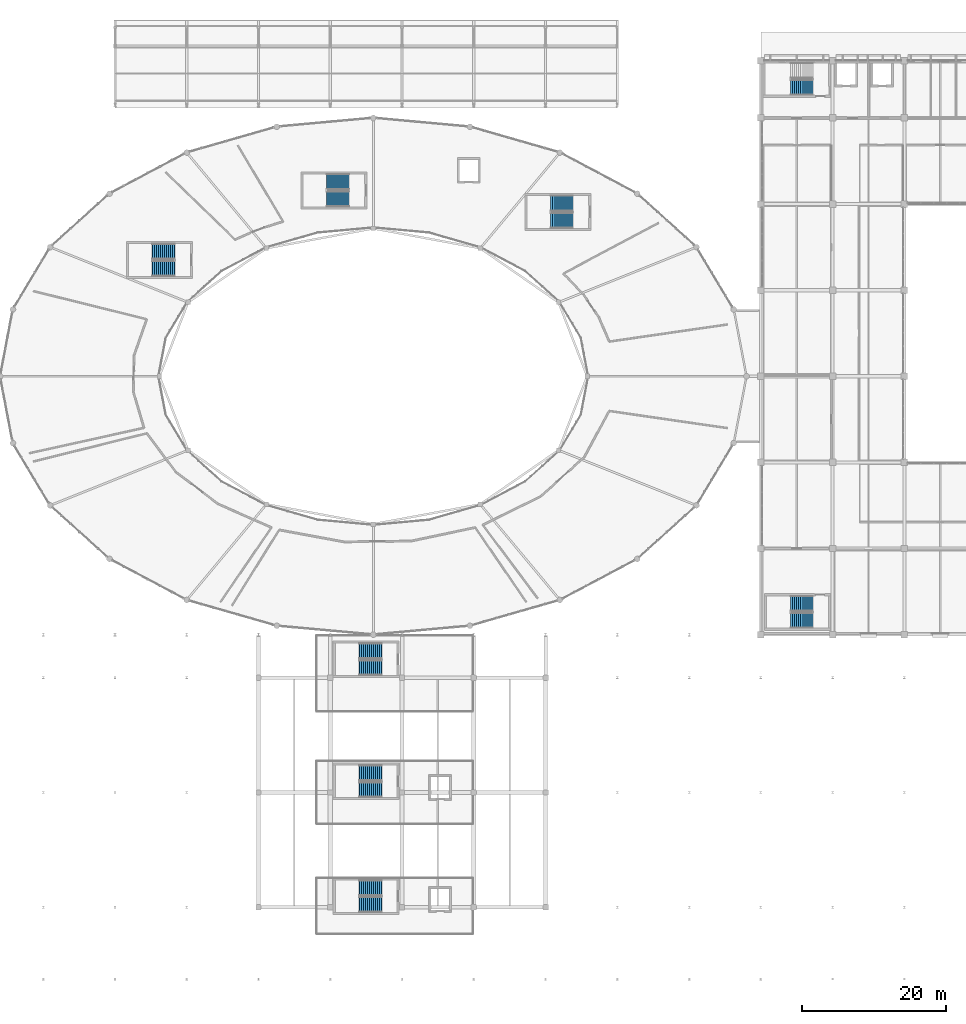
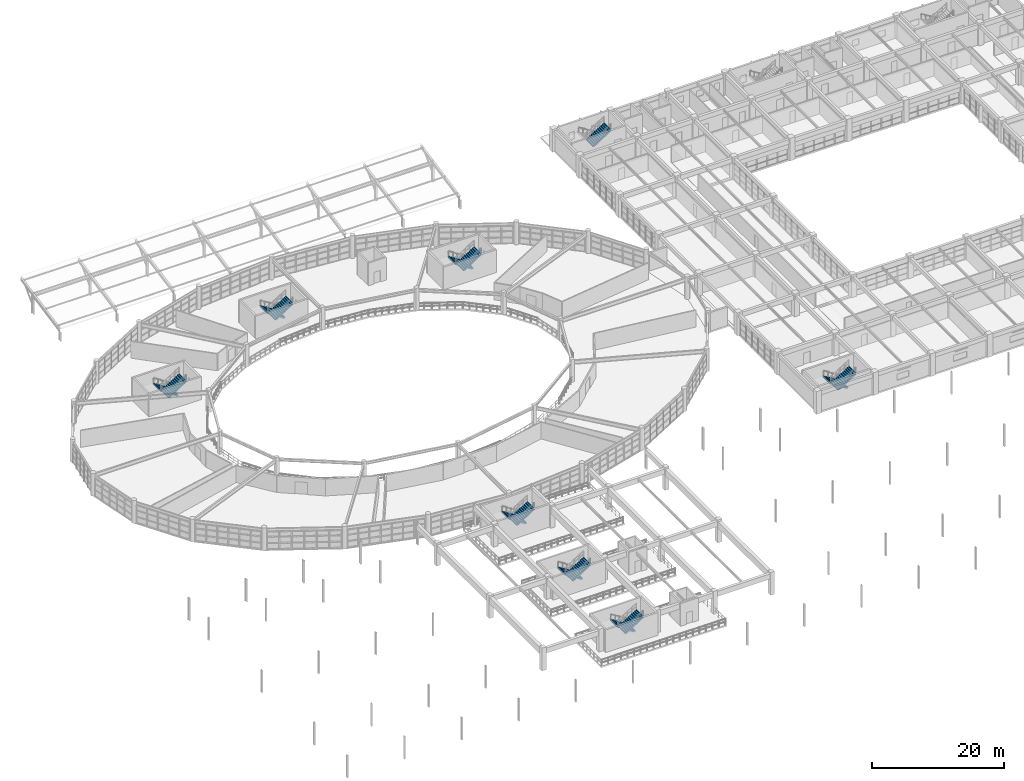
# One storey, part 85 of 100: 15 stair flights, 8 elements without a shape of their own.
"""IFC4 building model written with IfcOpenShell, lengths in metres."""

from ifc_helpers import new_model, si_unit, direction, frame, origin, place, context, subcontext, project, spatial, polyline, outline, extrude, material, type_object, element, aggregate, save


model = new_model("IFC4")

# Units and contexts
model_context = context("Model", 3, precision=1e-05, world=origin(), true_north=direction((0.0, 1.0)))
body_context = subcontext(model_context, "Body", "Model", "MODEL_VIEW")
ifc_project = project(units=[si_unit("LENGTHUNIT", "METRE"), si_unit("AREAUNIT", "SQUARE_METRE"), si_unit("VOLUMEUNIT", "CUBIC_METRE"), si_unit("PLANEANGLEUNIT", "RADIAN"), si_unit("MASSUNIT", "GRAM", prefix="KILO")], contexts=[model_context])

# Site, building, storey
site_placement = place(None, origin())
site = spatial("IfcSite", under=ifc_project, at=site_placement, CompositionType="ELEMENT")
building_placement = place(site_placement, origin())
building = spatial("IfcBuilding", under=site, at=building_placement, Name="Kivolera Central Railway Station", CompositionType="ELEMENT")
storey_placement = place(building_placement, frame((0.0, 0.0, 5.39990234375)))
storey = spatial("IfcBuildingStorey", under=building, at=storey_placement, Name="L01", CompositionType="ELEMENT", Elevation=5.39990234375)

# Stair, stair flight
ifc_material = material(Name="Concrete C40/50", Category="concrete")
stair_type_1 = type_object("IfcStairType", Name="STR-2160-24", PredefinedType="HALF_TURN_STAIR", material=ifc_material)
stair_1_placement = place(storey_placement, origin())
stair_1 = element("IfcStair", 1, at=stair_1_placement, inside=storey, type_object=stair_type_1, Name="L01 Protected Exit Stair ST1", PredefinedType="HALF_TURN_STAIR")
stair_flight_type_1 = type_object("IfcStairFlightType", Name="SFL-2160-24", PredefinedType="STRAIGHT", material=ifc_material)
stair_flight_1_placement = place(storey_placement, frame((122.159912109375, 130.260009765625, 2.10009765625), z_axis=(0.0, 0.0, 1.0), x_axis=(1.0, 0.0, 0.0)))
stair_flight_1 = element("IfcStairFlight", 2, at=stair_flight_1_placement, type_object=stair_flight_type_1, Name="ST1 flight 2", NumberOfRisers=12, NumberOfTreads=11, PredefinedType="STRAIGHT", RiserHeight=0.175, TreadLength=0.28, context=body_context, shape_type="SweptSolid", body=[
    extrude(outline(polyline([(-0.0400390625, 0.0), (0.0, 0.0), (0.0, 0.175048828125), (0.280029296875, 0.175048828125), (0.280029296875, 0.35009765625), (0.56005859375, 0.35009765625), (0.56005859375, 0.52490234375), (0.840087890625, 0.52490234375), (0.840087890625, 0.699951171875), (1.1201171875, 0.699951171875), (1.1201171875, 0.875), (1.39990234375, 0.875), (1.39990234375, 1.050048828125), (1.679931640625, 1.050048828125), (1.679931640625, 1.22509765625), (1.9599609375, 1.22509765625), (1.9599609375, 1.39990234375), (2.239990234375, 1.39990234375), (2.239990234375, 1.574951171875), (2.52001953125, 1.574951171875), (2.52001953125, 1.75), (2.800048828125, 1.75), (2.800048828125, 1.925048828125), (3.080078125, 1.925048828125), (3.080078125, 2.10009765625), (3.1201171875, 2.10009765625), (3.1201171875, 2.064697265625), (3.1201171875, 2.029541015625), (3.1201171875, 1.994384765625), (3.1201171875, 1.959228515625), (3.1201171875, 1.924072265625), (3.1201171875, 1.888916015625), (3.1201171875, 1.853759765625), (3.1201171875, 1.818603515625), (3.1201171875, 1.783447265625), (3.1201171875, 1.748291015625), (0.28271484375, -0.080078125), (-0.0400390625, -0.072021484375), (-0.0400390625, -0.06396484375), (-0.0400390625, -0.055908203125), (-0.0400390625, -0.048095703125), (-0.0400390625, -0.0400390625), (-0.0400390625, -0.031982421875), (-0.0400390625, -0.02392578125), (-0.0400390625, -0.01611328125), (-0.0400390625, -0.008056640625), (-0.0400390625, 0.0)])), frame((0.0, 1.080078125, 0.0), z_axis=(0.0, -1.0, 0.0), x_axis=(1.0, 0.0, 0.0)), (0.0, 0.0, 1.0), 2.159912109375),
])
aggregate(stair_1, [stair_flight_1])

# Stair, stair flights
stair_2_placement = place(storey_placement, origin())
stair_2 = element("IfcStair", 3, at=stair_2_placement, inside=storey, type_object=stair_type_1, Name="L01 Protected Exit Stair ST4", PredefinedType="HALF_TURN_STAIR")
stair_flight_2_placement = place(storey_placement, frame((125.239990234375, 58.320068359375, 0.0), z_axis=(0.0, 0.0, 1.0), x_axis=(-1.0, 0.0, 0.0)))
stair_flight_2 = element("IfcStairFlight", 4, at=stair_flight_2_placement, type_object=stair_flight_type_1, Name="ST4 flight 1", NumberOfRisers=12, NumberOfTreads=11, PredefinedType="STRAIGHT", RiserHeight=0.175, TreadLength=0.28, context=body_context, shape_type="SweptSolid", body=[
    extrude(outline(polyline([(-0.0400390625, 0.0), (0.0, 0.0), (0.0, 0.175048828125), (0.280029296875, 0.175048828125), (0.280029296875, 0.35009765625), (0.56005859375, 0.35009765625), (0.56005859375, 0.52490234375), (0.840087890625, 0.52490234375), (0.840087890625, 0.699951171875), (1.1201171875, 0.699951171875), (1.1201171875, 0.875), (1.39990234375, 0.875), (1.39990234375, 1.050048828125), (1.679931640625, 1.050048828125), (1.679931640625, 1.22509765625), (1.9599609375, 1.22509765625), (1.9599609375, 1.39990234375), (2.239990234375, 1.39990234375), (2.239990234375, 1.574951171875), (2.52001953125, 1.574951171875), (2.52001953125, 1.75), (2.800048828125, 1.75), (2.800048828125, 1.925048828125), (3.080078125, 1.925048828125), (3.080078125, 2.10009765625), (3.1201171875, 2.10009765625), (3.1201171875, 2.064697265625), (3.1201171875, 2.029541015625), (3.1201171875, 1.994384765625), (3.1201171875, 1.959228515625), (3.1201171875, 1.924072265625), (3.1201171875, 1.888916015625), (3.1201171875, 1.853759765625), (3.1201171875, 1.818603515625), (3.1201171875, 1.783447265625), (3.1201171875, 1.748291015625), (0.28271484375, -0.080078125), (-0.0400390625, -0.072021484375), (-0.0400390625, -0.06396484375), (-0.0400390625, -0.055908203125), (-0.0400390625, -0.048095703125), (-0.0400390625, -0.0400390625), (-0.0400390625, -0.031982421875), (-0.0400390625, -0.02392578125), (-0.0400390625, -0.01611328125), (-0.0400390625, -0.008056640625), (-0.0400390625, 0.0)])), frame((0.0, 1.080078125, 0.0), z_axis=(0.0, -1.0, 0.0), x_axis=(1.0, 0.0, 0.0)), (0.0, 0.0, 1.0), 2.159912109375),
])
stair_flight_3_placement = place(storey_placement, frame((122.159912109375, 55.97998046875, 2.10009765625), z_axis=(0.0, 0.0, 1.0), x_axis=(1.0, 0.0, 0.0)))
stair_flight_3 = element("IfcStairFlight", 5, at=stair_flight_3_placement, type_object=stair_flight_type_1, Name="ST4 flight 2", NumberOfRisers=12, NumberOfTreads=11, PredefinedType="STRAIGHT", RiserHeight=0.175, TreadLength=0.28, context=body_context, shape_type="SweptSolid", body=[
    extrude(outline(polyline([(-0.0400390625, 0.0), (0.0, 0.0), (0.0, 0.175048828125), (0.280029296875, 0.175048828125), (0.280029296875, 0.35009765625), (0.56005859375, 0.35009765625), (0.56005859375, 0.52490234375), (0.840087890625, 0.52490234375), (0.840087890625, 0.699951171875), (1.1201171875, 0.699951171875), (1.1201171875, 0.875), (1.39990234375, 0.875), (1.39990234375, 1.050048828125), (1.679931640625, 1.050048828125), (1.679931640625, 1.22509765625), (1.9599609375, 1.22509765625), (1.9599609375, 1.39990234375), (2.239990234375, 1.39990234375), (2.239990234375, 1.574951171875), (2.52001953125, 1.574951171875), (2.52001953125, 1.75), (2.800048828125, 1.75), (2.800048828125, 1.925048828125), (3.080078125, 1.925048828125), (3.080078125, 2.10009765625), (3.1201171875, 2.10009765625), (3.1201171875, 2.064697265625), (3.1201171875, 2.029541015625), (3.1201171875, 1.994384765625), (3.1201171875, 1.959228515625), (3.1201171875, 1.924072265625), (3.1201171875, 1.888916015625), (3.1201171875, 1.853759765625), (3.1201171875, 1.818603515625), (3.1201171875, 1.783447265625), (3.1201171875, 1.748291015625), (0.28271484375, -0.080078125), (-0.0400390625, -0.072021484375), (-0.0400390625, -0.06396484375), (-0.0400390625, -0.055908203125), (-0.0400390625, -0.048095703125), (-0.0400390625, -0.0400390625), (-0.0400390625, -0.031982421875), (-0.0400390625, -0.02392578125), (-0.0400390625, -0.01611328125), (-0.0400390625, -0.008056640625), (-0.0400390625, 0.0)])), frame((0.0, 1.080078125, 0.0), z_axis=(0.0, -1.0, 0.0), x_axis=(1.0, 0.0, 0.0)), (0.0, 0.0, 1.0), 2.159912109375),
])
aggregate(stair_2, [stair_flight_2, stair_flight_3])

stair_3_placement = place(storey_placement, origin())
stair_3 = element("IfcStair", 6, at=stair_3_placement, inside=storey, type_object=stair_type_1, Name="L01 Platform 3 Interchange Exit Stair ST8", PredefinedType="HALF_TURN_STAIR")
stair_flight_4_placement = place(storey_placement, frame((65.139892578125, 51.719970703125, 0.0), z_axis=(0.0, 0.0, 1.0), x_axis=(-1.0, 0.0, 0.0)))
stair_flight_4 = element("IfcStairFlight", 7, at=stair_flight_4_placement, type_object=stair_flight_type_1, Name="ST8 flight 1", NumberOfRisers=12, NumberOfTreads=11, PredefinedType="STRAIGHT", RiserHeight=0.175, TreadLength=0.28, context=body_context, shape_type="SweptSolid", body=[
    extrude(outline(polyline([(-0.0400390625, 0.0), (0.0, 0.0), (0.0, 0.175048828125), (0.280029296875, 0.175048828125), (0.280029296875, 0.35009765625), (0.56005859375, 0.35009765625), (0.56005859375, 0.52490234375), (0.840087890625, 0.52490234375), (0.840087890625, 0.699951171875), (1.1201171875, 0.699951171875), (1.1201171875, 0.875), (1.39990234375, 0.875), (1.39990234375, 1.050048828125), (1.679931640625, 1.050048828125), (1.679931640625, 1.22509765625), (1.9599609375, 1.22509765625), (1.9599609375, 1.39990234375), (2.239990234375, 1.39990234375), (2.239990234375, 1.574951171875), (2.52001953125, 1.574951171875), (2.52001953125, 1.75), (2.800048828125, 1.75), (2.800048828125, 1.925048828125), (3.080078125, 1.925048828125), (3.080078125, 2.10009765625), (3.1201171875, 2.10009765625), (3.1201171875, 2.064697265625), (3.1201171875, 2.029541015625), (3.1201171875, 1.994384765625), (3.1201171875, 1.959228515625), (3.1201171875, 1.924072265625), (3.1201171875, 1.888916015625), (3.1201171875, 1.853759765625), (3.1201171875, 1.818603515625), (3.1201171875, 1.783447265625), (3.1201171875, 1.748291015625), (0.28271484375, -0.080078125), (-0.0400390625, -0.072021484375), (-0.0400390625, -0.06396484375), (-0.0400390625, -0.055908203125), (-0.0400390625, -0.048095703125), (-0.0400390625, -0.0400390625), (-0.0400390625, -0.031982421875), (-0.0400390625, -0.02392578125), (-0.0400390625, -0.01611328125), (-0.0400390625, -0.008056640625), (-0.0400390625, 0.0)])), frame((0.0, 1.080078125, 0.0), z_axis=(0.0, -1.0, 0.0), x_axis=(1.0, 0.0, 0.0)), (0.0, 0.0, 1.0), 2.159912109375),
])
stair_flight_5_placement = place(storey_placement, frame((62.06005859375, 49.3798828125, 2.10009765625), z_axis=(0.0, 0.0, 1.0), x_axis=(1.0, 0.0, 0.0)))
stair_flight_5 = element("IfcStairFlight", 8, at=stair_flight_5_placement, type_object=stair_flight_type_1, Name="ST8 flight 2", NumberOfRisers=12, NumberOfTreads=11, PredefinedType="STRAIGHT", RiserHeight=0.175, TreadLength=0.28, context=body_context, shape_type="SweptSolid", body=[
    extrude(outline(polyline([(-0.0400390625, 0.0), (0.0, 0.0), (0.0, 0.175048828125), (0.280029296875, 0.175048828125), (0.280029296875, 0.35009765625), (0.56005859375, 0.35009765625), (0.56005859375, 0.52490234375), (0.840087890625, 0.52490234375), (0.840087890625, 0.699951171875), (1.1201171875, 0.699951171875), (1.1201171875, 0.875), (1.39990234375, 0.875), (1.39990234375, 1.050048828125), (1.679931640625, 1.050048828125), (1.679931640625, 1.22509765625), (1.9599609375, 1.22509765625), (1.9599609375, 1.39990234375), (2.239990234375, 1.39990234375), (2.239990234375, 1.574951171875), (2.52001953125, 1.574951171875), (2.52001953125, 1.75), (2.800048828125, 1.75), (2.800048828125, 1.925048828125), (3.080078125, 1.925048828125), (3.080078125, 2.10009765625), (3.1201171875, 2.10009765625), (3.1201171875, 2.064697265625), (3.1201171875, 2.029541015625), (3.1201171875, 1.994384765625), (3.1201171875, 1.959228515625), (3.1201171875, 1.924072265625), (3.1201171875, 1.888916015625), (3.1201171875, 1.853759765625), (3.1201171875, 1.818603515625), (3.1201171875, 1.783447265625), (3.1201171875, 1.748291015625), (0.28271484375, -0.080078125), (-0.0400390625, -0.072021484375), (-0.0400390625, -0.06396484375), (-0.0400390625, -0.055908203125), (-0.0400390625, -0.048095703125), (-0.0400390625, -0.0400390625), (-0.0400390625, -0.031982421875), (-0.0400390625, -0.02392578125), (-0.0400390625, -0.01611328125), (-0.0400390625, -0.008056640625), (-0.0400390625, 0.0)])), frame((0.0, 1.080078125, 0.0), z_axis=(0.0, -1.0, 0.0), x_axis=(1.0, 0.0, 0.0)), (0.0, 0.0, 1.0), 2.159912109375),
])
aggregate(stair_3, [stair_flight_4, stair_flight_5])

stair_4_placement = place(storey_placement, origin())
stair_4 = element("IfcStair", 9, at=stair_4_placement, inside=storey, type_object=stair_type_1, Name="L01 Platform 2 Interchange Exit Stair ST9", PredefinedType="HALF_TURN_STAIR")
stair_flight_6_placement = place(storey_placement, frame((65.139892578125, 34.719970703125, 0.0), z_axis=(0.0, 0.0, 1.0), x_axis=(-1.0, 0.0, 0.0)))
stair_flight_6 = element("IfcStairFlight", 10, at=stair_flight_6_placement, type_object=stair_flight_type_1, Name="ST9 flight 1", NumberOfRisers=12, NumberOfTreads=11, PredefinedType="STRAIGHT", RiserHeight=0.175, TreadLength=0.28, context=body_context, shape_type="SweptSolid", body=[
    extrude(outline(polyline([(-0.0400390625, 0.0), (0.0, 0.0), (0.0, 0.175048828125), (0.280029296875, 0.175048828125), (0.280029296875, 0.35009765625), (0.56005859375, 0.35009765625), (0.56005859375, 0.52490234375), (0.840087890625, 0.52490234375), (0.840087890625, 0.699951171875), (1.1201171875, 0.699951171875), (1.1201171875, 0.875), (1.39990234375, 0.875), (1.39990234375, 1.050048828125), (1.679931640625, 1.050048828125), (1.679931640625, 1.22509765625), (1.9599609375, 1.22509765625), (1.9599609375, 1.39990234375), (2.239990234375, 1.39990234375), (2.239990234375, 1.574951171875), (2.52001953125, 1.574951171875), (2.52001953125, 1.75), (2.800048828125, 1.75), (2.800048828125, 1.925048828125), (3.080078125, 1.925048828125), (3.080078125, 2.10009765625), (3.1201171875, 2.10009765625), (3.1201171875, 2.064697265625), (3.1201171875, 2.029541015625), (3.1201171875, 1.994384765625), (3.1201171875, 1.959228515625), (3.1201171875, 1.924072265625), (3.1201171875, 1.888916015625), (3.1201171875, 1.853759765625), (3.1201171875, 1.818603515625), (3.1201171875, 1.783447265625), (3.1201171875, 1.748291015625), (0.28271484375, -0.080078125), (-0.0400390625, -0.072021484375), (-0.0400390625, -0.06396484375), (-0.0400390625, -0.055908203125), (-0.0400390625, -0.048095703125), (-0.0400390625, -0.0400390625), (-0.0400390625, -0.031982421875), (-0.0400390625, -0.02392578125), (-0.0400390625, -0.01611328125), (-0.0400390625, -0.008056640625), (-0.0400390625, 0.0)])), frame((0.0, 1.080078125, 0.0), z_axis=(0.0, -1.0, 0.0), x_axis=(1.0, 0.0, 0.0)), (0.0, 0.0, 1.0), 2.159912109375),
])
stair_flight_7_placement = place(storey_placement, frame((62.06005859375, 32.3798828125, 2.10009765625), z_axis=(0.0, 0.0, 1.0), x_axis=(1.0, 0.0, 0.0)))
stair_flight_7 = element("IfcStairFlight", 11, at=stair_flight_7_placement, type_object=stair_flight_type_1, Name="ST9 flight 2", NumberOfRisers=12, NumberOfTreads=11, PredefinedType="STRAIGHT", RiserHeight=0.175, TreadLength=0.28, context=body_context, shape_type="SweptSolid", body=[
    extrude(outline(polyline([(-0.0400390625, 0.0), (0.0, 0.0), (0.0, 0.175048828125), (0.280029296875, 0.175048828125), (0.280029296875, 0.35009765625), (0.56005859375, 0.35009765625), (0.56005859375, 0.52490234375), (0.840087890625, 0.52490234375), (0.840087890625, 0.699951171875), (1.1201171875, 0.699951171875), (1.1201171875, 0.875), (1.39990234375, 0.875), (1.39990234375, 1.050048828125), (1.679931640625, 1.050048828125), (1.679931640625, 1.22509765625), (1.9599609375, 1.22509765625), (1.9599609375, 1.39990234375), (2.239990234375, 1.39990234375), (2.239990234375, 1.574951171875), (2.52001953125, 1.574951171875), (2.52001953125, 1.75), (2.800048828125, 1.75), (2.800048828125, 1.925048828125), (3.080078125, 1.925048828125), (3.080078125, 2.10009765625), (3.1201171875, 2.10009765625), (3.1201171875, 2.064697265625), (3.1201171875, 2.029541015625), (3.1201171875, 1.994384765625), (3.1201171875, 1.959228515625), (3.1201171875, 1.924072265625), (3.1201171875, 1.888916015625), (3.1201171875, 1.853759765625), (3.1201171875, 1.818603515625), (3.1201171875, 1.783447265625), (3.1201171875, 1.748291015625), (0.28271484375, -0.080078125), (-0.0400390625, -0.072021484375), (-0.0400390625, -0.06396484375), (-0.0400390625, -0.055908203125), (-0.0400390625, -0.048095703125), (-0.0400390625, -0.0400390625), (-0.0400390625, -0.031982421875), (-0.0400390625, -0.02392578125), (-0.0400390625, -0.01611328125), (-0.0400390625, -0.008056640625), (-0.0400390625, 0.0)])), frame((0.0, 1.080078125, 0.0), z_axis=(0.0, -1.0, 0.0), x_axis=(1.0, 0.0, 0.0)), (0.0, 0.0, 1.0), 2.159912109375),
])
aggregate(stair_4, [stair_flight_6, stair_flight_7])

stair_5_placement = place(storey_placement, origin())
stair_5 = element("IfcStair", 12, at=stair_5_placement, inside=storey, type_object=stair_type_1, Name="L01 Platform 1 Interchange Exit Stair ST10", PredefinedType="HALF_TURN_STAIR")
stair_flight_8_placement = place(storey_placement, frame((65.139892578125, 18.719970703125, 0.0), z_axis=(0.0, 0.0, 1.0), x_axis=(-1.0, 0.0, 0.0)))
stair_flight_8 = element("IfcStairFlight", 13, at=stair_flight_8_placement, type_object=stair_flight_type_1, Name="ST10 flight 1", NumberOfRisers=12, NumberOfTreads=11, PredefinedType="STRAIGHT", RiserHeight=0.175, TreadLength=0.28, context=body_context, shape_type="SweptSolid", body=[
    extrude(outline(polyline([(-0.0400390625, 0.0), (0.0, 0.0), (0.0, 0.175048828125), (0.280029296875, 0.175048828125), (0.280029296875, 0.35009765625), (0.56005859375, 0.35009765625), (0.56005859375, 0.52490234375), (0.840087890625, 0.52490234375), (0.840087890625, 0.699951171875), (1.1201171875, 0.699951171875), (1.1201171875, 0.875), (1.39990234375, 0.875), (1.39990234375, 1.050048828125), (1.679931640625, 1.050048828125), (1.679931640625, 1.22509765625), (1.9599609375, 1.22509765625), (1.9599609375, 1.39990234375), (2.239990234375, 1.39990234375), (2.239990234375, 1.574951171875), (2.52001953125, 1.574951171875), (2.52001953125, 1.75), (2.800048828125, 1.75), (2.800048828125, 1.925048828125), (3.080078125, 1.925048828125), (3.080078125, 2.10009765625), (3.1201171875, 2.10009765625), (3.1201171875, 2.064697265625), (3.1201171875, 2.029541015625), (3.1201171875, 1.994384765625), (3.1201171875, 1.959228515625), (3.1201171875, 1.924072265625), (3.1201171875, 1.888916015625), (3.1201171875, 1.853759765625), (3.1201171875, 1.818603515625), (3.1201171875, 1.783447265625), (3.1201171875, 1.748291015625), (0.28271484375, -0.080078125), (-0.0400390625, -0.072021484375), (-0.0400390625, -0.06396484375), (-0.0400390625, -0.055908203125), (-0.0400390625, -0.048095703125), (-0.0400390625, -0.0400390625), (-0.0400390625, -0.031982421875), (-0.0400390625, -0.02392578125), (-0.0400390625, -0.01611328125), (-0.0400390625, -0.008056640625), (-0.0400390625, 0.0)])), frame((0.0, 1.080078125, 0.0), z_axis=(0.0, -1.0, 0.0), x_axis=(1.0, 0.0, 0.0)), (0.0, 0.0, 1.0), 2.159912109375),
])
stair_flight_9_placement = place(storey_placement, frame((62.06005859375, 16.3798828125, 2.10009765625), z_axis=(0.0, 0.0, 1.0), x_axis=(1.0, 0.0, 0.0)))
stair_flight_9 = element("IfcStairFlight", 14, at=stair_flight_9_placement, type_object=stair_flight_type_1, Name="ST10 flight 2", NumberOfRisers=12, NumberOfTreads=11, PredefinedType="STRAIGHT", RiserHeight=0.175, TreadLength=0.28, context=body_context, shape_type="SweptSolid", body=[
    extrude(outline(polyline([(-0.0400390625, 0.0), (0.0, 0.0), (0.0, 0.175048828125), (0.280029296875, 0.175048828125), (0.280029296875, 0.35009765625), (0.56005859375, 0.35009765625), (0.56005859375, 0.52490234375), (0.840087890625, 0.52490234375), (0.840087890625, 0.699951171875), (1.1201171875, 0.699951171875), (1.1201171875, 0.875), (1.39990234375, 0.875), (1.39990234375, 1.050048828125), (1.679931640625, 1.050048828125), (1.679931640625, 1.22509765625), (1.9599609375, 1.22509765625), (1.9599609375, 1.39990234375), (2.239990234375, 1.39990234375), (2.239990234375, 1.574951171875), (2.52001953125, 1.574951171875), (2.52001953125, 1.75), (2.800048828125, 1.75), (2.800048828125, 1.925048828125), (3.080078125, 1.925048828125), (3.080078125, 2.10009765625), (3.1201171875, 2.10009765625), (3.1201171875, 2.064697265625), (3.1201171875, 2.029541015625), (3.1201171875, 1.994384765625), (3.1201171875, 1.959228515625), (3.1201171875, 1.924072265625), (3.1201171875, 1.888916015625), (3.1201171875, 1.853759765625), (3.1201171875, 1.818603515625), (3.1201171875, 1.783447265625), (3.1201171875, 1.748291015625), (0.28271484375, -0.080078125), (-0.0400390625, -0.072021484375), (-0.0400390625, -0.06396484375), (-0.0400390625, -0.055908203125), (-0.0400390625, -0.048095703125), (-0.0400390625, -0.0400390625), (-0.0400390625, -0.031982421875), (-0.0400390625, -0.02392578125), (-0.0400390625, -0.01611328125), (-0.0400390625, -0.008056640625), (-0.0400390625, 0.0)])), frame((0.0, 1.080078125, 0.0), z_axis=(0.0, -1.0, 0.0), x_axis=(1.0, 0.0, 0.0)), (0.0, 0.0, 1.0), 2.159912109375),
])
aggregate(stair_5, [stair_flight_8, stair_flight_9])

stair_type_2 = type_object("IfcStairType", Name="STR-2200-24", PredefinedType="HALF_TURN_STAIR", material=ifc_material)
stair_6_placement = place(storey_placement, origin())
stair_6 = element("IfcStair", 15, at=stair_6_placement, inside=storey, type_object=stair_type_2, Name="L01 North Concourse Exit Stair ST5", PredefinedType="HALF_TURN_STAIR")
stair_flight_type_2 = type_object("IfcStairFlightType", Name="SFL-2200-24", PredefinedType="STRAIGHT", material=ifc_material)
stair_flight_10_placement = place(storey_placement, frame((60.60009765625, 117.10009765625, 0.0), z_axis=(0.0, 0.0, 1.0), x_axis=(-1.0, 0.0, 0.0)))
stair_flight_10 = element("IfcStairFlight", 16, at=stair_flight_10_placement, type_object=stair_flight_type_2, Name="ST5 flight 1", NumberOfRisers=12, NumberOfTreads=11, PredefinedType="STRAIGHT", RiserHeight=0.175, TreadLength=0.28, context=body_context, shape_type="SweptSolid", body=[
    extrude(outline(polyline([(-0.0400390625, 0.0), (0.0, 0.0), (0.0, 0.175048828125), (0.280029296875, 0.175048828125), (0.280029296875, 0.35009765625), (0.56005859375, 0.35009765625), (0.56005859375, 0.52490234375), (0.840087890625, 0.52490234375), (0.840087890625, 0.699951171875), (1.1201171875, 0.699951171875), (1.1201171875, 0.875), (1.39990234375, 0.875), (1.39990234375, 1.050048828125), (1.679931640625, 1.050048828125), (1.679931640625, 1.22509765625), (1.9599609375, 1.22509765625), (1.9599609375, 1.39990234375), (2.239990234375, 1.39990234375), (2.239990234375, 1.574951171875), (2.52001953125, 1.574951171875), (2.52001953125, 1.75), (2.800048828125, 1.75), (2.800048828125, 1.925048828125), (3.080078125, 1.925048828125), (3.080078125, 2.10009765625), (3.1201171875, 2.10009765625), (3.1201171875, 2.064697265625), (3.1201171875, 2.029541015625), (3.1201171875, 1.994384765625), (3.1201171875, 1.959228515625), (3.1201171875, 1.924072265625), (3.1201171875, 1.888916015625), (3.1201171875, 1.853759765625), (3.1201171875, 1.818603515625), (3.1201171875, 1.783447265625), (3.1201171875, 1.748291015625), (0.28271484375, -0.080078125), (-0.0400390625, -0.072021484375), (-0.0400390625, -0.06396484375), (-0.0400390625, -0.055908203125), (-0.0400390625, -0.048095703125), (-0.0400390625, -0.0400390625), (-0.0400390625, -0.031982421875), (-0.0400390625, -0.02392578125), (-0.0400390625, -0.01611328125), (-0.0400390625, -0.008056640625), (-0.0400390625, 0.0)])), frame((0.0, 1.10009765625, 0.0), z_axis=(0.0, -1.0, 0.0), x_axis=(1.0, 0.0, 0.0)), (0.0, 0.0, 1.0), 2.199951171875),
])
stair_flight_11_placement = place(storey_placement, frame((57.52001953125, 114.719970703125, 2.10009765625), z_axis=(0.0, 0.0, 1.0), x_axis=(1.0, 0.0, 0.0)))
stair_flight_11 = element("IfcStairFlight", 17, at=stair_flight_11_placement, type_object=stair_flight_type_2, Name="ST5 flight 2", NumberOfRisers=12, NumberOfTreads=11, PredefinedType="STRAIGHT", RiserHeight=0.175, TreadLength=0.28, context=body_context, shape_type="SweptSolid", body=[
    extrude(outline(polyline([(-0.0400390625, 0.0), (0.0, 0.0), (0.0, 0.175048828125), (0.280029296875, 0.175048828125), (0.280029296875, 0.35009765625), (0.56005859375, 0.35009765625), (0.56005859375, 0.52490234375), (0.840087890625, 0.52490234375), (0.840087890625, 0.699951171875), (1.1201171875, 0.699951171875), (1.1201171875, 0.875), (1.39990234375, 0.875), (1.39990234375, 1.050048828125), (1.679931640625, 1.050048828125), (1.679931640625, 1.22509765625), (1.9599609375, 1.22509765625), (1.9599609375, 1.39990234375), (2.239990234375, 1.39990234375), (2.239990234375, 1.574951171875), (2.52001953125, 1.574951171875), (2.52001953125, 1.75), (2.800048828125, 1.75), (2.800048828125, 1.925048828125), (3.080078125, 1.925048828125), (3.080078125, 2.10009765625), (3.1201171875, 2.10009765625), (3.1201171875, 2.064697265625), (3.1201171875, 2.029541015625), (3.1201171875, 1.994384765625), (3.1201171875, 1.959228515625), (3.1201171875, 1.924072265625), (3.1201171875, 1.888916015625), (3.1201171875, 1.853759765625), (3.1201171875, 1.818603515625), (3.1201171875, 1.783447265625), (3.1201171875, 1.748291015625), (0.28271484375, -0.080078125), (-0.0400390625, -0.072021484375), (-0.0400390625, -0.06396484375), (-0.0400390625, -0.055908203125), (-0.0400390625, -0.048095703125), (-0.0400390625, -0.0400390625), (-0.0400390625, -0.031982421875), (-0.0400390625, -0.02392578125), (-0.0400390625, -0.01611328125), (-0.0400390625, -0.008056640625), (-0.0400390625, 0.0)])), frame((0.0, 1.10009765625, 0.0), z_axis=(0.0, -1.0, 0.0), x_axis=(1.0, 0.0, 0.0)), (0.0, 0.0, 1.0), 2.199951171875),
])
aggregate(stair_6, [stair_flight_10, stair_flight_11])

stair_7_placement = place(storey_placement, origin())
stair_7 = element("IfcStair", 18, at=stair_7_placement, inside=storey, type_object=stair_type_2, Name="L01 West Concourse Exit Stair ST6", PredefinedType="HALF_TURN_STAIR")
stair_flight_12_placement = place(storey_placement, frame((36.300048828125, 107.39990234375, 0.0), z_axis=(0.0, 0.0, 1.0), x_axis=(-1.0, 0.0, 0.0)))
stair_flight_12 = element("IfcStairFlight", 19, at=stair_flight_12_placement, type_object=stair_flight_type_2, Name="ST6 flight 1", NumberOfRisers=12, NumberOfTreads=11, PredefinedType="STRAIGHT", RiserHeight=0.175, TreadLength=0.28, context=body_context, shape_type="SweptSolid", body=[
    extrude(outline(polyline([(-0.0400390625, 0.0), (0.0, 0.0), (0.0, 0.175048828125), (0.280029296875, 0.175048828125), (0.280029296875, 0.35009765625), (0.56005859375, 0.35009765625), (0.56005859375, 0.52490234375), (0.840087890625, 0.52490234375), (0.840087890625, 0.699951171875), (1.1201171875, 0.699951171875), (1.1201171875, 0.875), (1.39990234375, 0.875), (1.39990234375, 1.050048828125), (1.679931640625, 1.050048828125), (1.679931640625, 1.22509765625), (1.9599609375, 1.22509765625), (1.9599609375, 1.39990234375), (2.239990234375, 1.39990234375), (2.239990234375, 1.574951171875), (2.52001953125, 1.574951171875), (2.52001953125, 1.75), (2.800048828125, 1.75), (2.800048828125, 1.925048828125), (3.080078125, 1.925048828125), (3.080078125, 2.10009765625), (3.1201171875, 2.10009765625), (3.1201171875, 2.064697265625), (3.1201171875, 2.029541015625), (3.1201171875, 1.994384765625), (3.1201171875, 1.959228515625), (3.1201171875, 1.924072265625), (3.1201171875, 1.888916015625), (3.1201171875, 1.853759765625), (3.1201171875, 1.818603515625), (3.1201171875, 1.783447265625), (3.1201171875, 1.748291015625), (0.28271484375, -0.080078125), (-0.0400390625, -0.072021484375), (-0.0400390625, -0.06396484375), (-0.0400390625, -0.055908203125), (-0.0400390625, -0.048095703125), (-0.0400390625, -0.0400390625), (-0.0400390625, -0.031982421875), (-0.0400390625, -0.02392578125), (-0.0400390625, -0.01611328125), (-0.0400390625, -0.008056640625), (-0.0400390625, 0.0)])), frame((0.0, 1.10009765625, 0.0), z_axis=(0.0, -1.0, 0.0), x_axis=(1.0, 0.0, 0.0)), (0.0, 0.0, 1.0), 2.199951171875),
])
stair_flight_13_placement = place(storey_placement, frame((33.219970703125, 105.02001953125, 2.10009765625), z_axis=(0.0, 0.0, 1.0), x_axis=(1.0, 0.0, 0.0)))
stair_flight_13 = element("IfcStairFlight", 20, at=stair_flight_13_placement, type_object=stair_flight_type_2, Name="ST6 flight 2", NumberOfRisers=12, NumberOfTreads=11, PredefinedType="STRAIGHT", RiserHeight=0.175, TreadLength=0.28, context=body_context, shape_type="SweptSolid", body=[
    extrude(outline(polyline([(-0.0400390625, 0.0), (0.0, 0.0), (0.0, 0.175048828125), (0.280029296875, 0.175048828125), (0.280029296875, 0.35009765625), (0.56005859375, 0.35009765625), (0.56005859375, 0.52490234375), (0.840087890625, 0.52490234375), (0.840087890625, 0.699951171875), (1.1201171875, 0.699951171875), (1.1201171875, 0.875), (1.39990234375, 0.875), (1.39990234375, 1.050048828125), (1.679931640625, 1.050048828125), (1.679931640625, 1.22509765625), (1.9599609375, 1.22509765625), (1.9599609375, 1.39990234375), (2.239990234375, 1.39990234375), (2.239990234375, 1.574951171875), (2.52001953125, 1.574951171875), (2.52001953125, 1.75), (2.800048828125, 1.75), (2.800048828125, 1.925048828125), (3.080078125, 1.925048828125), (3.080078125, 2.10009765625), (3.1201171875, 2.10009765625), (3.1201171875, 2.064697265625), (3.1201171875, 2.029541015625), (3.1201171875, 1.994384765625), (3.1201171875, 1.959228515625), (3.1201171875, 1.924072265625), (3.1201171875, 1.888916015625), (3.1201171875, 1.853759765625), (3.1201171875, 1.818603515625), (3.1201171875, 1.783447265625), (3.1201171875, 1.748291015625), (0.28271484375, -0.080078125), (-0.0400390625, -0.072021484375), (-0.0400390625, -0.06396484375), (-0.0400390625, -0.055908203125), (-0.0400390625, -0.048095703125), (-0.0400390625, -0.0400390625), (-0.0400390625, -0.031982421875), (-0.0400390625, -0.02392578125), (-0.0400390625, -0.01611328125), (-0.0400390625, -0.008056640625), (-0.0400390625, 0.0)])), frame((0.0, 1.10009765625, 0.0), z_axis=(0.0, -1.0, 0.0), x_axis=(1.0, 0.0, 0.0)), (0.0, 0.0, 1.0), 2.199951171875),
])
aggregate(stair_7, [stair_flight_12, stair_flight_13])

stair_8_placement = place(storey_placement, origin())
stair_8 = element("IfcStair", 21, at=stair_8_placement, inside=storey, type_object=stair_type_2, Name="L01 East Concourse Link Stair ST7", PredefinedType="HALF_TURN_STAIR")
stair_flight_14_placement = place(storey_placement, frame((91.800048828125, 114.10009765625, 0.0), z_axis=(0.0, 0.0, 1.0), x_axis=(-1.0, 0.0, 0.0)))
stair_flight_14 = element("IfcStairFlight", 22, at=stair_flight_14_placement, type_object=stair_flight_type_2, Name="ST7 flight 1", NumberOfRisers=12, NumberOfTreads=11, PredefinedType="STRAIGHT", RiserHeight=0.175, TreadLength=0.28, context=body_context, shape_type="SweptSolid", body=[
    extrude(outline(polyline([(-0.0400390625, 0.0), (0.0, 0.0), (0.0, 0.175048828125), (0.280029296875, 0.175048828125), (0.280029296875, 0.35009765625), (0.56005859375, 0.35009765625), (0.56005859375, 0.52490234375), (0.840087890625, 0.52490234375), (0.840087890625, 0.699951171875), (1.1201171875, 0.699951171875), (1.1201171875, 0.875), (1.39990234375, 0.875), (1.39990234375, 1.050048828125), (1.679931640625, 1.050048828125), (1.679931640625, 1.22509765625), (1.9599609375, 1.22509765625), (1.9599609375, 1.39990234375), (2.239990234375, 1.39990234375), (2.239990234375, 1.574951171875), (2.52001953125, 1.574951171875), (2.52001953125, 1.75), (2.800048828125, 1.75), (2.800048828125, 1.925048828125), (3.080078125, 1.925048828125), (3.080078125, 2.10009765625), (3.1201171875, 2.10009765625), (3.1201171875, 2.064697265625), (3.1201171875, 2.029541015625), (3.1201171875, 1.994384765625), (3.1201171875, 1.959228515625), (3.1201171875, 1.924072265625), (3.1201171875, 1.888916015625), (3.1201171875, 1.853759765625), (3.1201171875, 1.818603515625), (3.1201171875, 1.783447265625), (3.1201171875, 1.748291015625), (0.28271484375, -0.080078125), (-0.0400390625, -0.072021484375), (-0.0400390625, -0.06396484375), (-0.0400390625, -0.055908203125), (-0.0400390625, -0.048095703125), (-0.0400390625, -0.0400390625), (-0.0400390625, -0.031982421875), (-0.0400390625, -0.02392578125), (-0.0400390625, -0.01611328125), (-0.0400390625, -0.008056640625), (-0.0400390625, 0.0)])), frame((0.0, 1.10009765625, 0.0), z_axis=(0.0, -1.0, 0.0), x_axis=(1.0, 0.0, 0.0)), (0.0, 0.0, 1.0), 2.199951171875),
])
stair_flight_15_placement = place(storey_placement, frame((88.719970703125, 111.719970703125, 2.10009765625), z_axis=(0.0, 0.0, 1.0), x_axis=(1.0, 0.0, 0.0)))
stair_flight_15 = element("IfcStairFlight", 23, at=stair_flight_15_placement, type_object=stair_flight_type_2, Name="ST7 flight 2", NumberOfRisers=12, NumberOfTreads=11, PredefinedType="STRAIGHT", RiserHeight=0.175, TreadLength=0.28, context=body_context, shape_type="SweptSolid", body=[
    extrude(outline(polyline([(-0.0400390625, 0.0), (0.0, 0.0), (0.0, 0.175048828125), (0.280029296875, 0.175048828125), (0.280029296875, 0.35009765625), (0.56005859375, 0.35009765625), (0.56005859375, 0.52490234375), (0.840087890625, 0.52490234375), (0.840087890625, 0.699951171875), (1.1201171875, 0.699951171875), (1.1201171875, 0.875), (1.39990234375, 0.875), (1.39990234375, 1.050048828125), (1.679931640625, 1.050048828125), (1.679931640625, 1.22509765625), (1.9599609375, 1.22509765625), (1.9599609375, 1.39990234375), (2.239990234375, 1.39990234375), (2.239990234375, 1.574951171875), (2.52001953125, 1.574951171875), (2.52001953125, 1.75), (2.800048828125, 1.75), (2.800048828125, 1.925048828125), (3.080078125, 1.925048828125), (3.080078125, 2.10009765625), (3.1201171875, 2.10009765625), (3.1201171875, 2.064697265625), (3.1201171875, 2.029541015625), (3.1201171875, 1.994384765625), (3.1201171875, 1.959228515625), (3.1201171875, 1.924072265625), (3.1201171875, 1.888916015625), (3.1201171875, 1.853759765625), (3.1201171875, 1.818603515625), (3.1201171875, 1.783447265625), (3.1201171875, 1.748291015625), (0.28271484375, -0.080078125), (-0.0400390625, -0.072021484375), (-0.0400390625, -0.06396484375), (-0.0400390625, -0.055908203125), (-0.0400390625, -0.048095703125), (-0.0400390625, -0.0400390625), (-0.0400390625, -0.031982421875), (-0.0400390625, -0.02392578125), (-0.0400390625, -0.01611328125), (-0.0400390625, -0.008056640625), (-0.0400390625, 0.0)])), frame((0.0, 1.10009765625, 0.0), z_axis=(0.0, -1.0, 0.0), x_axis=(1.0, 0.0, 0.0)), (0.0, 0.0, 1.0), 2.199951171875),
])
aggregate(stair_8, [stair_flight_14, stair_flight_15])

save(model, "model.ifc")
